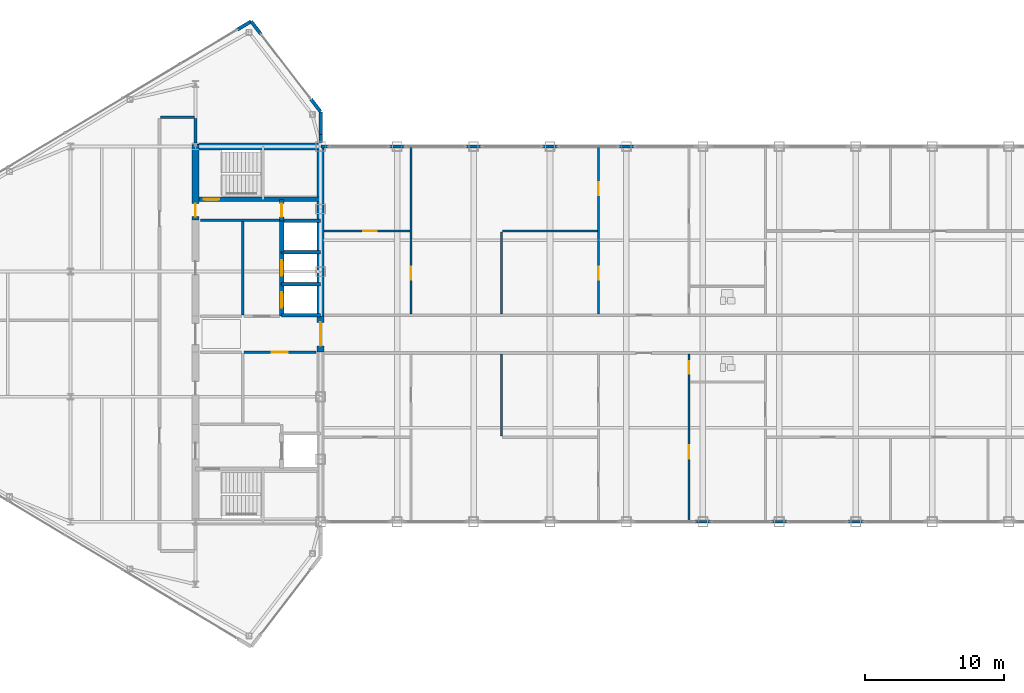
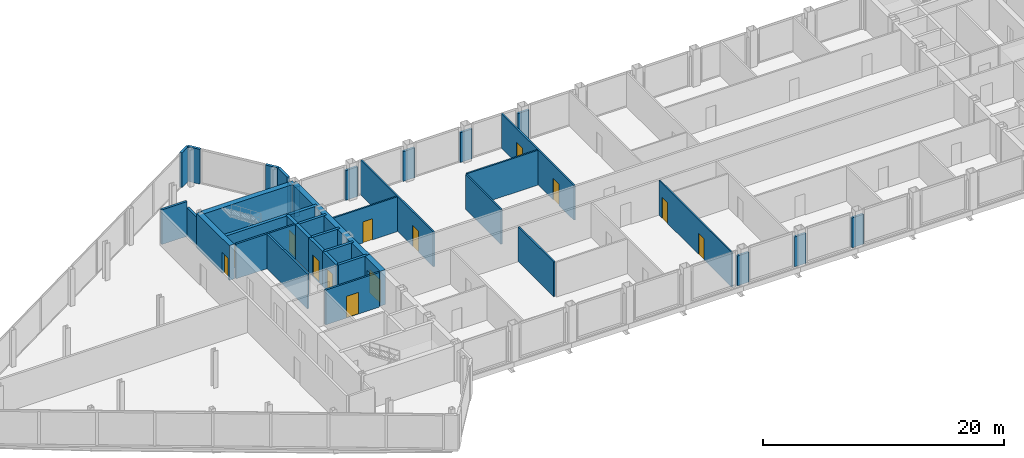
# One storey, part 22 of 28: 38 walls, 13 doors, 13 openings.
"""IFC4 building model written with IfcOpenShell, lengths in metres."""

from ifc_helpers import new_model, si_unit, direction, frame, frame_2d, origin, place, context, subcontext, project, spatial, rectangle, extrude, source, transform, mapped, material, layer, layer_set, type_object, type_shapes, element, fill, save


model = new_model("IFC4")

# Units and contexts
model_context = context("Model", 3, precision=1e-05, world=origin(), true_north=direction((0.0, 1.0)))
body_context = subcontext(model_context, "Body", "Model", "MODEL_VIEW")
ifc_project = project(units=[si_unit("LENGTHUNIT", "METRE"), si_unit("AREAUNIT", "SQUARE_METRE"), si_unit("VOLUMEUNIT", "CUBIC_METRE"), si_unit("PLANEANGLEUNIT", "RADIAN"), si_unit("MASSUNIT", "GRAM", prefix="KILO")], contexts=[model_context])

# Site, building, storey
site_placement = place(None, origin())
site = spatial("IfcSite", under=ifc_project, at=site_placement, CompositionType="ELEMENT")
building_placement = place(site_placement, origin())
building = spatial("IfcBuilding", under=site, at=building_placement, Name="Seokmaru Belvedere", CompositionType="ELEMENT")
storey_placement = place(building_placement, frame((0.0, 0.0, 261.89990234375)))
storey = spatial("IfcBuildingStorey", under=building, at=storey_placement, Name="L69", CompositionType="ELEMENT", Elevation=261.89990234375)

# Wall, opening, door
ifc_material_1 = material(Name="Fire-Rated Gypsum Shaftwall")
ifc_layer_1 = layer(ifc_material_1, 0.14990234375)
ifc_layer_set_1 = layer_set([ifc_layer_1], Name="Fire-Rated Gypsum Shaftwall")
wall_type_1 = type_object("IfcWallType", Name="Apartment Fire-Acoustic Room Partition 150", PredefinedType="PARTITIONING", material=ifc_layer_set_1)
wall_1_placement = place(storey_placement, frame((-27.2451171875, 7.419921875, 0.0), z_axis=(0.0, 0.0, 1.0), x_axis=(1.0, 0.0, 0.0)))
wall_1 = element("IfcWall", 1, at=wall_1_placement, inside=storey, type_object=wall_type_1, Name="L69 Interior Partition 017", PredefinedType="PARTITIONING", context=body_context, shape_type="SweptSolid", body=[
    extrude(rectangle(XDim=6.16015625, YDim=0.14990234375, at=frame_2d((3.080078125, 0.0))), origin(), (0.0, 0.0, 1.0), 3.530029296875),
])
opening_1_placement = place(wall_1_placement, frame((2.820068359375, 0.0, 0.0)))
opening_1 = element("IfcOpeningElement", 2, at=opening_1_placement, cuts=wall_1, Name="Opening D05", PredefinedType="OPENING", context=body_context, shape_type="SweptSolid", body=[
    extrude(rectangle(XDim=0.949951171875, YDim=2.14990234375, at=frame_2d((0.47509765625, 1.074951171875))), frame((0.0, 0.0849609375, 0.0), z_axis=(0.0, -1.0, 0.0), x_axis=(1.0, 0.0, 0.0)), (0.0, 0.0, 1.0), 0.169921875),
])
ifc_material_2 = material(Name="Engineered White Oak Timber", Category="wood")
door_type_1 = type_object("IfcDoorType", Name="Apartment Interior Fire-Rated Oak Door 950x2150", OperationType="NOTDEFINED", PredefinedType="DOOR", material=ifc_material_2)
shared_shape_1 = source(origin(), body_context, "Body", "SweptSolid", [
    extrude(rectangle(XDim=0.949951171875, YDim=2.14990234375, at=frame_2d((0.47509765625, 1.074951171875))), frame((0.0, 0.02490234375, 0.0), z_axis=(0.0, -1.0, 0.0), x_axis=(1.0, 0.0, 0.0)), (0.0, 0.0, 1.0), 0.050048828125),
])
type_shapes(door_type_1, [shared_shape_1])
door_1_placement = place(opening_1_placement, origin())
door_1 = element("IfcDoor", 3, at=door_1_placement, inside=storey, type_object=door_type_1, Name="L69 Interior Door 031", OperationType="SINGLE_SWING_RIGHT", OverallHeight=2.14990234375, OverallWidth=0.949951171875, PredefinedType="DOOR", context=body_context, shape_type="MappedRepresentation", body=[
    mapped(shared_shape_1, transform((0.0, 0.0, 0.0), scale=1.0)),
])
fill(opening_1, door_1)

# Wall
wall_2_placement = place(storey_placement, frame((-14.4150390625, 7.419921875, 0.0), z_axis=(0.0, 0.0, 1.0), x_axis=(1.0, 0.0, 0.0)))
element("IfcWall", 4, at=wall_2_placement, inside=storey, type_object=wall_type_1, Name="L69 Interior Partition 018", PredefinedType="PARTITIONING", context=body_context, shape_type="SweptSolid", body=[
    extrude(rectangle(XDim=6.830078125, YDim=0.14990234375, at=frame_2d((3.4150390625, 0.0))), origin(), (0.0, 0.0, 1.0), 3.530029296875),
])

# Wall, opening, door
wall_3_placement = place(storey_placement, frame((-21.0, 1.43505859375, 0.0), z_axis=(0.0, 0.0, 1.0), x_axis=(0.0, 1.0, 0.0)))
wall_3 = element("IfcWall", 5, at=wall_3_placement, inside=storey, type_object=wall_type_1, Name="L69 Interior Partition 026", PredefinedType="PARTITIONING", context=body_context, shape_type="SweptSolid", body=[
    extrude(rectangle(XDim=12.06494140625, YDim=0.14990234375, at=frame_2d((6.032470703125, 0.0))), origin(), (0.0, 0.0, 1.0), 3.530029296875),
])
opening_2_placement = place(wall_3_placement, frame((2.4775390625, 0.0, 0.0)))
opening_2 = element("IfcOpeningElement", 6, at=opening_2_placement, cuts=wall_3, Name="Opening D05", PredefinedType="OPENING", context=body_context, shape_type="SweptSolid", body=[
    extrude(rectangle(XDim=0.949951171875, YDim=2.14990234375, at=frame_2d((0.47509765625, 1.074951171875))), frame((0.0, 0.0849609375, 0.0), z_axis=(0.0, -1.0, 0.0), x_axis=(1.0, 0.0, 0.0)), (0.0, 0.0, 1.0), 0.169921875),
])
door_2_placement = place(opening_2_placement, origin())
door_2 = element("IfcDoor", 7, at=door_2_placement, inside=storey, type_object=door_type_1, Name="L69 Interior Door 030", OperationType="SINGLE_SWING_LEFT", OverallHeight=2.14990234375, OverallWidth=0.949951171875, PredefinedType="DOOR", context=body_context, shape_type="MappedRepresentation", body=[
    mapped(shared_shape_1, transform((0.0, 0.0, 0.0), scale=1.0)),
])
fill(opening_2, door_2)

# Walls
for number, where, z_axis, x_axis, name in (
    (8, (-14.5, -7.340087890625, 0.0), (0.0, 0.0, 1.0), (0.0, 1.0, 0.0), "L69 Interior Partition 027"),
    (9, (-14.5, 1.43505859375, 0.0), (0.0, 0.0, 1.0), (0.0, 1.0, 0.0), "L69 Interior Partition 028"),
):
    element("IfcWall", number, at=place(storey_placement, frame(where, z_axis=z_axis, x_axis=x_axis)), inside=storey, type_object=wall_type_1, Name=name, PredefinedType="PARTITIONING", context=body_context, shape_type="SweptSolid", body=[
        extrude(rectangle(XDim=5.905029296875, YDim=0.14990234375, at=frame_2d((2.95263671875, 0.0))), origin(), (0.0, 0.0, 1.0), 3.530029296875),
    ])

# Wall, openings, doors
wall_4_placement = place(storey_placement, frame((-7.5, 1.43505859375, 0.0), z_axis=(0.0, 0.0, 1.0), x_axis=(0.0, 1.0, 0.0)))
wall_4 = element("IfcWall", 10, at=wall_4_placement, inside=storey, type_object=wall_type_1, Name="L69 Interior Partition 030", PredefinedType="PARTITIONING", context=body_context, shape_type="SweptSolid", body=[
    extrude(rectangle(XDim=12.06494140625, YDim=0.14990234375, at=frame_2d((6.032470703125, 0.0))), origin(), (0.0, 0.0, 1.0), 3.530029296875),
])
opening_3_placement = place(wall_4_placement, frame((2.4775390625, 0.0, 0.0)))
opening_3 = element("IfcOpeningElement", 11, at=opening_3_placement, cuts=wall_4, Name="Opening D05", PredefinedType="OPENING", context=body_context, shape_type="SweptSolid", body=[
    extrude(rectangle(XDim=0.949951171875, YDim=2.14990234375, at=frame_2d((0.47509765625, 1.074951171875))), frame((0.0, 0.0849609375, 0.0), z_axis=(0.0, -1.0, 0.0), x_axis=(1.0, 0.0, 0.0)), (0.0, 0.0, 1.0), 0.169921875),
])
opening_4_placement = place(wall_4_placement, frame((8.552490234375, 0.0, 0.0)))
opening_4 = element("IfcOpeningElement", 12, at=opening_4_placement, cuts=wall_4, Name="Opening D05", PredefinedType="OPENING", context=body_context, shape_type="SweptSolid", body=[
    extrude(rectangle(XDim=0.949951171875, YDim=2.14990234375, at=frame_2d((0.47509765625, 1.074951171875))), frame((0.0, 0.0849609375, 0.0), z_axis=(0.0, -1.0, 0.0), x_axis=(1.0, 0.0, 0.0)), (0.0, 0.0, 1.0), 0.169921875),
])
door_3_placement = place(opening_3_placement, origin())
door_3 = element("IfcDoor", 13, at=door_3_placement, inside=storey, type_object=door_type_1, Name="L69 Interior Door 028", OperationType="SINGLE_SWING_LEFT", OverallHeight=2.14990234375, OverallWidth=0.949951171875, PredefinedType="DOOR", context=body_context, shape_type="MappedRepresentation", body=[
    mapped(shared_shape_1, transform((0.0, 0.0, 0.0), scale=1.0)),
])
fill(opening_3, door_3)
door_4_placement = place(opening_4_placement, origin())
door_4 = element("IfcDoor", 14, at=door_4_placement, inside=storey, type_object=door_type_1, Name="L69 Interior Door 029", OperationType="SINGLE_SWING_RIGHT", OverallHeight=2.14990234375, OverallWidth=0.949951171875, PredefinedType="DOOR", context=body_context, shape_type="MappedRepresentation", body=[
    mapped(shared_shape_1, transform((0.0, 0.0, 0.0), scale=1.0)),
])
fill(opening_4, door_4)

# Walls
ifc_material_3 = material(Name="Anodised Bronze Aluminium", Category="aluminium")
ifc_layer_2 = layer(ifc_material_3, 0.2099609375)
ifc_layer_set_2 = layer_set([ifc_layer_2], Name="Anodised Bronze Aluminium")
wall_type_2 = type_object("IfcWallType", Name="Bridge Column Spandrel Closure Pier 210", PredefinedType="SOLIDWALL", material=ifc_layer_set_2)
wall_5_placement = place(storey_placement, frame((-27.489990234375, 13.5, 0.0), z_axis=(0.0, 0.0, 1.0), x_axis=(1.0, 0.0, 0.0)))
element("IfcWall", 15, at=wall_5_placement, inside=storey, type_object=wall_type_2, Name="L69 Bridge North Column Closure Pier 01", PredefinedType="SOLIDWALL", context=body_context, shape_type="SweptSolid", body=[
    extrude(rectangle(XDim=0.5400390625, YDim=0.2099609375, at=frame_2d((0.27001953125, 0.0))), origin(), (0.0, 0.0, 1.0), 3.030029296875),
])
for number, where, z_axis, x_axis, name in (
    (16, (-22.550048828125, 13.5, 0.0), (0.0, 0.0, 1.0), (1.0, 0.0, 0.0), "L69 Bridge North Column Closure Pier 02"),
    (17, (-17.050048828125, 13.5, 0.0), (0.0, 0.0, 1.0), (1.0, 0.0, 0.0), "L69 Bridge North Column Closure Pier 03"),
    (18, (-11.550048828125, 13.5, 0.0), (0.0, 0.0, 1.0), (1.0, 0.0, 0.0), "L69 Bridge North Column Closure Pier 04"),
    (19, (-6.050048828125, 13.5, 0.0), (0.0, 0.0, 1.0), (1.0, 0.0, 0.0), "L69 Bridge North Column Closure Pier 05"),
    (20, (-0.550048828125, -13.5, 0.0), (0.0, 0.0, 1.0), (1.0, 0.0, 0.0), "L69 Bridge South Column Closure Pier 06"),
    (21, (4.949951171875, -13.5, 0.0), (0.0, 0.0, 1.0), (1.0, 0.0, 0.0), "L69 Bridge South Column Closure Pier 07"),
    (22, (10.449951171875, -13.5, 0.0), (0.0, 0.0, 1.0), (1.0, 0.0, 0.0), "L69 Bridge South Column Closure Pier 08"),
):
    element("IfcWall", number, at=place(storey_placement, frame(where, z_axis=z_axis, x_axis=x_axis)), inside=storey, type_object=wall_type_2, Name=name, PredefinedType="SOLIDWALL", context=body_context, shape_type="SweptSolid", body=[
        extrude(rectangle(XDim=1.10009765625, YDim=0.2099609375, at=frame_2d((0.550048828125, 0.0))), origin(), (0.0, 0.0, 1.0), 3.030029296875),
    ])
ifc_layer_3 = layer(ifc_material_1, 0.179931640625)
ifc_layer_set_3 = layer_set([ifc_layer_3], Name="Fire-Rated Gypsum Shaftwall")
wall_type_3 = type_object("IfcWallType", Name="Core Service Fire Partition 180", PredefinedType="PARTITIONING", material=ifc_layer_set_3)
wall_6_placement = place(storey_placement, frame((-36.14990234375, 8.199951171875, 0.0), z_axis=(0.0, 0.0, 1.0), x_axis=(1.0, 0.0, 0.0)))
element("IfcWall", 23, at=wall_6_placement, inside=storey, type_object=wall_type_3, Name="L69 West Smokeproof Vestibule Partition", PredefinedType="PARTITIONING", context=body_context, shape_type="SweptSolid", body=[
    extrude(rectangle(XDim=5.699951171875, YDim=0.179931640625, at=frame_2d((2.85009765625, 0.0))), origin(), (0.0, 0.0, 1.0), 3.530029296875),
])
wall_7_placement = place(storey_placement, frame((-33.10009765625, 1.3798828125, 0.0), z_axis=(0.0, 0.0, 1.0), x_axis=(0.0, 1.0, 0.0)))
element("IfcWall", 24, at=wall_7_placement, inside=storey, type_object=wall_type_3, Name="L69 West North Core Service Back Wall", PredefinedType="PARTITIONING", context=body_context, shape_type="SweptSolid", body=[
    extrude(rectangle(XDim=6.740234375, YDim=0.179931640625, at=frame_2d((3.3701171875, 0.0))), origin(), (0.0, 0.0, 1.0), 3.530029296875),
])

# Wall, opening, door
wall_8_placement = place(storey_placement, frame((-33.02001953125, -1.300048828125, 0.0), z_axis=(0.0, 0.0, 1.0), x_axis=(1.0, 0.0, 0.0)))
wall_8 = element("IfcWall", 25, at=wall_8_placement, inside=storey, type_object=wall_type_3, Name="L69 West South Lift Lobby Foyer Wall", PredefinedType="PARTITIONING", context=body_context, shape_type="SweptSolid", body=[
    extrude(rectangle(XDim=5.169921875, YDim=0.179931640625, at=frame_2d((2.5849609375, 0.0))), origin(), (0.0, 0.0, 1.0), 3.530029296875),
])
opening_5_placement = place(wall_8_placement, frame((2.010009765625, 0.0, 0.0)))
opening_5 = element("IfcOpeningElement", 26, at=opening_5_placement, cuts=wall_8, Name="Opening D02", PredefinedType="OPENING", context=body_context, shape_type="SweptSolid", body=[
    extrude(rectangle(XDim=1.14990234375, YDim=2.199951171875, at=frame_2d((0.574951171875, 1.10009765625))), frame((0.0, 0.10009765625, 0.0), z_axis=(0.0, -1.0, 0.0), x_axis=(1.0, 0.0, 0.0)), (0.0, 0.0, 1.0), 0.199951171875),
])
ifc_material_4 = material(Name="Fire-Rated Steel Leaf", Category="steel")
door_type_2 = type_object("IfcDoorType", Name="Lobby and Vestibule Fire Door 1150x2200", OperationType="NOTDEFINED", PredefinedType="DOOR", material=ifc_material_4)
shared_shape_2 = source(origin(), body_context, "Body", "SweptSolid", [
    extrude(rectangle(XDim=1.14990234375, YDim=2.199951171875, at=frame_2d((0.574951171875, 1.10009765625))), frame((0.0, 0.02490234375, 0.0), z_axis=(0.0, -1.0, 0.0), x_axis=(1.0, 0.0, 0.0)), (0.0, 0.0, 1.0), 0.050048828125),
])
type_shapes(door_type_2, [shared_shape_2])
door_5_placement = place(opening_5_placement, origin())
door_5 = element("IfcDoor", 27, at=door_5_placement, inside=storey, type_object=door_type_2, Name="L69 West South Core Foyer Door", OperationType="SINGLE_SWING_LEFT", OverallHeight=2.199951171875, OverallWidth=1.14990234375, PredefinedType="DOOR", context=body_context, shape_type="MappedRepresentation", body=[
    mapped(shared_shape_2, transform((0.0, 0.0, 0.0), scale=1.0)),
])
fill(opening_5, door_5)

# Walls
ifc_material_5 = material(Name="Concrete C50 (50 MPa)", Category="concrete")
ifc_layer_4 = layer(ifc_material_5, 0.25)
ifc_layer_set_4 = layer_set([ifc_layer_4], Name="Concrete C50 (50 MPa)")
wall_type_4 = type_object("IfcWallType", Name="Hoistway Transverse Concrete Divider Wall 250", PredefinedType="SHEAR", material=ifc_layer_set_4)
for number, where, z_axis, x_axis, name in (
    (28, (-30.300048828125, 1.35009765625, 0.0), (0.0, 0.0, 1.0), (1.0, 0.0, 0.0), "L69 West Hoistway Divider Core Wall 2"),
    (29, (-30.300048828125, 3.60009765625, 0.0), (0.0, 0.0, 1.0), (1.0, 0.0, 0.0), "L69 West Hoistway Divider Core Wall 3"),
    (30, (-30.300048828125, 5.89990234375, 0.0), (0.0, 0.0, 1.0), (1.0, 0.0, 0.0), "L69 West Hoistway Divider Core Wall 4"),
    (31, (-30.300048828125, 8.14990234375, 0.0), (0.0, 0.0, 1.0), (1.0, 0.0, 0.0), "L69 West Hoistway Divider Core Wall 5"),
):
    element("IfcWall", number, at=place(storey_placement, frame(where, z_axis=z_axis, x_axis=x_axis)), inside=storey, type_object=wall_type_4, Name=name, PredefinedType="SHEAR", context=body_context, shape_type="SweptSolid", body=[
        extrude(rectangle(XDim=2.800048828125, YDim=0.25, at=frame_2d((1.39990234375, 0.0))), origin(), (0.0, 0.0, 1.0), 3.530029296875),
    ])
ifc_layer_5 = layer(ifc_material_1, 0.199951171875)
ifc_layer_set_5 = layer_set([ifc_layer_5], Name="Fire-Rated Gypsum Shaftwall")
wall_type_5 = type_object("IfcWallType", Name="Inter-Tenancy Fire Compartment Partition 200", PredefinedType="PARTITIONING", material=ifc_layer_set_5)
wall_9_placement = place(storey_placement, frame((-39.014892578125, 15.60009765625, 0.0), z_axis=(0.0, 0.0, 1.0), x_axis=(1.0, 0.0, 0.0)))
element("IfcWall", 32, at=wall_9_placement, inside=storey, type_object=wall_type_5, Name="L69 Interior Partition 020", PredefinedType="PARTITIONING", context=body_context, shape_type="SweptSolid", body=[
    extrude(rectangle(XDim=2.429931640625, YDim=0.199951171875, at=frame_2d((1.21484375, 0.0))), origin(), (0.0, 0.0, 1.0), 3.530029296875),
])
wall_10_placement = place(storey_placement, frame((-36.5, 13.7548828125, 0.0), z_axis=(0.0, 0.0, 1.0), x_axis=(0.0, 1.0, 0.0)))
element("IfcWall", 33, at=wall_10_placement, inside=storey, type_object=wall_type_5, Name="L69 Interior Partition 024", PredefinedType="PARTITIONING", context=body_context, shape_type="SweptSolid", body=[
    extrude(rectangle(XDim=1.760009765625, YDim=0.199951171875, at=frame_2d((0.8798828125, 0.0))), origin(), (0.0, 0.0, 1.0), 2.93017578125),
])

# Wall, opening, door
ifc_layer_6 = layer(ifc_material_5, 0.300048828125)
ifc_layer_set_6 = layer_set([ifc_layer_6], Name="Concrete C50 (50 MPa)")
wall_type_6 = type_object("IfcWallType", Name="Internal Core Stair and Hoistway Wall 300", PredefinedType="SHEAR", material=ifc_layer_set_6)
wall_11_placement = place(storey_placement, frame((-36.5, 9.699951171875, 0.0), z_axis=(0.0, 0.0, 1.0), x_axis=(1.0, 0.0, 0.0)))
wall_11 = element("IfcWall", 34, at=wall_11_placement, inside=storey, type_object=wall_type_6, Name="L69 West Stair ST-2 Enclosure Wall", PredefinedType="SHEAR", context=body_context, shape_type="SweptSolid", body=[
    extrude(rectangle(XDim=9.0, YDim=0.300048828125, at=frame_2d((4.5, 0.0))), origin(), (0.0, 0.0, 1.0), 3.530029296875),
])
opening_6_placement = place(wall_11_placement, frame((0.60009765625, 0.0, 0.0)))
opening_6 = element("IfcOpeningElement", 35, at=opening_6_placement, cuts=wall_11, Name="Opening D01", PredefinedType="OPENING", context=body_context, shape_type="SweptSolid", body=[
    extrude(rectangle(XDim=1.10009765625, YDim=2.199951171875, at=frame_2d((0.550048828125, 1.10009765625))), frame((0.0, 0.16015625, 0.0), z_axis=(0.0, -1.0, 0.0), x_axis=(1.0, 0.0, 0.0)), (0.0, 0.0, 1.0), 0.320068359375),
])
door_type_3 = type_object("IfcDoorType", Name="Special Escape Stair Smokeproof Fire Door 1100x2200", OperationType="NOTDEFINED", PredefinedType="DOOR", material=ifc_material_4)
shared_shape_3 = source(origin(), body_context, "Body", "SweptSolid", [
    extrude(rectangle(XDim=1.10009765625, YDim=2.199951171875, at=frame_2d((0.550048828125, 1.10009765625))), frame((0.0, 0.02490234375, 0.0), z_axis=(0.0, -1.0, 0.0), x_axis=(1.0, 0.0, 0.0)), (0.0, 0.0, 1.0), 0.050048828125),
])
type_shapes(door_type_3, [shared_shape_3])
door_6_placement = place(opening_6_placement, origin())
door_6 = element("IfcDoor", 36, at=door_6_placement, inside=storey, type_object=door_type_3, Name="L69 West Special Escape Stair ST-2 Door", OperationType="SINGLE_SWING_RIGHT", OverallHeight=2.199951171875, OverallWidth=1.10009765625, PredefinedType="DOOR", context=body_context, shape_type="MappedRepresentation", body=[
    mapped(shared_shape_3, transform((0.0, 0.0, 0.0), scale=1.0)),
])
fill(opening_6, door_6)

wall_12_placement = place(storey_placement, frame((-30.300048828125, 1.320068359375, 0.0), z_axis=(0.0, 0.0, 1.0), x_axis=(0.0, 1.0, 0.0)))
wall_12 = element("IfcWall", 37, at=wall_12_placement, inside=storey, type_object=wall_type_6, Name="L69 West North Hoistway Wall PH1", PredefinedType="SHEAR", context=body_context, shape_type="SweptSolid", body=[
    extrude(rectangle(XDim=2.280029296875, YDim=0.300048828125, at=frame_2d((1.14013671875, 0.0))), origin(), (0.0, 0.0, 1.0), 3.530029296875),
])
opening_7_placement = place(wall_12_placement, frame((0.590087890625, 0.0, 0.0)))
opening_7 = element("IfcOpeningElement", 38, at=opening_7_placement, cuts=wall_12, Name="Opening LD1", PredefinedType="OPENING", context=body_context, shape_type="SweptSolid", body=[
    extrude(rectangle(XDim=1.10009765625, YDim=2.199951171875, at=frame_2d((0.550048828125, 1.10009765625))), frame((0.0, 0.16015625, 0.0), z_axis=(0.0, -1.0, 0.0), x_axis=(1.0, 0.0, 0.0)), (0.0, 0.0, 1.0), 0.320068359375),
])
ifc_material_6 = material(Name="Stainless Steel 316", Category="steel")
door_type_4 = type_object("IfcDoorType", Name="Passenger Lift Sliding Landing Door 1100x2200", OperationType="DOUBLE_DOOR_SLIDING", PredefinedType="DOOR", material=ifc_material_6)
shared_shape_4 = source(origin(), body_context, "Body", "SweptSolid", [
    extrude(rectangle(XDim=1.10009765625, YDim=2.199951171875, at=frame_2d((0.550048828125, 1.10009765625))), frame((0.0, 0.02490234375, 0.0), z_axis=(0.0, -1.0, 0.0), x_axis=(1.0, 0.0, 0.0)), (0.0, 0.0, 1.0), 0.050048828125),
])
type_shapes(door_type_4, [shared_shape_4])
door_7_placement = place(opening_7_placement, origin())
door_7 = element("IfcDoor", 39, at=door_7_placement, inside=storey, type_object=door_type_4, Name="L69 West High-Rise Lift PH-1 Landing Door", OperationType="DOUBLE_DOOR_SLIDING", OverallHeight=2.199951171875, OverallWidth=1.10009765625, PredefinedType="DOOR", context=body_context, shape_type="MappedRepresentation", body=[
    mapped(shared_shape_4, transform((0.0, 0.0, 0.0), scale=1.0)),
])
fill(opening_7, door_7)

wall_13_placement = place(storey_placement, frame((-30.300048828125, 3.60009765625, 0.0), z_axis=(0.0, 0.0, 1.0), x_axis=(0.0, 1.0, 0.0)))
wall_13 = element("IfcWall", 40, at=wall_13_placement, inside=storey, type_object=wall_type_6, Name="L69 West North Hoistway Wall PH2", PredefinedType="SHEAR", context=body_context, shape_type="SweptSolid", body=[
    extrude(rectangle(XDim=2.2998046875, YDim=0.300048828125, at=frame_2d((1.14990234375, 0.0))), origin(), (0.0, 0.0, 1.0), 3.530029296875),
])
opening_8_placement = place(wall_13_placement, frame((0.60009765625, 0.0, 0.0)))
opening_8 = element("IfcOpeningElement", 41, at=opening_8_placement, cuts=wall_13, Name="Opening LD1", PredefinedType="OPENING", context=body_context, shape_type="SweptSolid", body=[
    extrude(rectangle(XDim=1.10009765625, YDim=2.199951171875, at=frame_2d((0.550048828125, 1.10009765625))), frame((0.0, 0.16015625, 0.0), z_axis=(0.0, -1.0, 0.0), x_axis=(1.0, 0.0, 0.0)), (0.0, 0.0, 1.0), 0.320068359375),
])
door_8_placement = place(opening_8_placement, origin())
door_8 = element("IfcDoor", 42, at=door_8_placement, inside=storey, type_object=door_type_4, Name="L69 West High-Rise Lift PH-2 Landing Door", OperationType="DOUBLE_DOOR_SLIDING", OverallHeight=2.199951171875, OverallWidth=1.10009765625, PredefinedType="DOOR", context=body_context, shape_type="MappedRepresentation", body=[
    mapped(shared_shape_4, transform((0.0, 0.0, 0.0), scale=1.0)),
])
fill(opening_8, door_8)

# Wall
wall_14_placement = place(storey_placement, frame((-30.300048828125, 5.89990234375, 0.0), z_axis=(0.0, 0.0, 1.0), x_axis=(0.0, 1.0, 0.0)))
element("IfcWall", 43, at=wall_14_placement, inside=storey, type_object=wall_type_6, Name="L69 West North Hoistway Wall OBS", PredefinedType="SHEAR", context=body_context, shape_type="SweptSolid", body=[
    extrude(rectangle(XDim=2.25, YDim=0.300048828125, at=frame_2d((1.125, 0.0))), origin(), (0.0, 0.0, 1.0), 3.530029296875),
])

# Wall, opening, door
wall_15_placement = place(storey_placement, frame((-30.300048828125, 8.14990234375, 0.0), z_axis=(0.0, 0.0, 1.0), x_axis=(0.0, 1.0, 0.0)))
wall_15 = element("IfcWall", 44, at=wall_15_placement, inside=storey, type_object=wall_type_6, Name="L69 West Electrical Riser Front Wall", PredefinedType="SHEAR", context=body_context, shape_type="SweptSolid", body=[
    extrude(rectangle(XDim=1.530029296875, YDim=0.300048828125, at=frame_2d((0.76513671875, 0.0))), origin(), (0.0, 0.0, 1.0), 3.530029296875),
])
opening_9_placement = place(wall_15_placement, frame((0.284912109375, 0.0, 0.0)))
opening_9 = element("IfcOpeningElement", 45, at=opening_9_placement, cuts=wall_15, Name="Opening D04", PredefinedType="OPENING", context=body_context, shape_type="SweptSolid", body=[
    extrude(rectangle(XDim=0.949951171875, YDim=2.14990234375, at=frame_2d((0.47509765625, 1.074951171875))), frame((0.0, 0.16015625, 0.0), z_axis=(0.0, -1.0, 0.0), x_axis=(1.0, 0.0, 0.0)), (0.0, 0.0, 1.0), 0.320068359375),
])
door_type_5 = type_object("IfcDoorType", Name="Core Service Room Fire Door 950x2150", OperationType="NOTDEFINED", PredefinedType="DOOR", material=ifc_material_4)
shared_shape_5 = source(origin(), body_context, "Body", "SweptSolid", [
    extrude(rectangle(XDim=0.949951171875, YDim=2.14990234375, at=frame_2d((0.47509765625, 1.074951171875))), frame((0.0, 0.02490234375, 0.0), z_axis=(0.0, -1.0, 0.0), x_axis=(1.0, 0.0, 0.0)), (0.0, 0.0, 1.0), 0.050048828125),
])
type_shapes(door_type_5, [shared_shape_5])
door_9_placement = place(opening_9_placement, origin())
door_9 = element("IfcDoor", 46, at=door_9_placement, inside=storey, type_object=door_type_5, Name="L69 West Electrical Riser Access Door", OperationType="SINGLE_SWING_LEFT", OverallHeight=2.14990234375, OverallWidth=0.949951171875, PredefinedType="DOOR", context=body_context, shape_type="MappedRepresentation", body=[
    mapped(shared_shape_5, transform((0.0, 0.0, 0.0), scale=1.0)),
])
fill(opening_9, door_9)

# Wall, openings, doors
ifc_layer_7 = layer(ifc_material_1, 0.1298828125)
ifc_layer_set_7 = layer_set([ifc_layer_7], Name="Fire-Rated Gypsum Shaftwall")
wall_type_7 = type_object("IfcWallType", Name="Moisture-Resistant Fire-Rated Bathroom Partition 130", PredefinedType="PARTITIONING", material=ifc_layer_set_7)
wall_16_placement = place(storey_placement, frame((-1.0, -13.5, 0.0), z_axis=(0.0, 0.0, 1.0), x_axis=(0.0, 1.0, 0.0)))
wall_16 = element("IfcWall", 47, at=wall_16_placement, inside=storey, type_object=wall_type_7, Name="L69 Interior Partition 031", PredefinedType="PARTITIONING", context=body_context, shape_type="SweptSolid", body=[
    extrude(rectangle(XDim=12.06494140625, YDim=0.1298828125, at=frame_2d((6.032470703125, 0.0))), origin(), (0.0, 0.0, 1.0), 3.530029296875),
])
opening_10_placement = place(wall_16_placement, frame((10.659912109375, 0.0, 0.0)))
opening_10 = element("IfcOpeningElement", 48, at=opening_10_placement, cuts=wall_16, Name="Opening D06", PredefinedType="OPENING", context=body_context, shape_type="SweptSolid", body=[
    extrude(rectangle(XDim=0.8798828125, YDim=2.10009765625, at=frame_2d((0.43994140625, 1.050048828125))), frame((0.0, 0.074951171875, 0.0), z_axis=(0.0, -1.0, 0.0), x_axis=(1.0, 0.0, 0.0)), (0.0, 0.0, 1.0), 0.14990234375),
])
opening_11_placement = place(wall_16_placement, frame((4.550048828125, 0.0, 0.0)))
opening_11 = element("IfcOpeningElement", 49, at=opening_11_placement, cuts=wall_16, Name="Opening D05", PredefinedType="OPENING", context=body_context, shape_type="SweptSolid", body=[
    extrude(rectangle(XDim=0.949951171875, YDim=2.14990234375, at=frame_2d((0.47509765625, 1.074951171875))), frame((0.0, 0.074951171875, 0.0), z_axis=(0.0, -1.0, 0.0), x_axis=(1.0, 0.0, 0.0)), (0.0, 0.0, 1.0), 0.14990234375),
])
door_type_6 = type_object("IfcDoorType", Name="Bathroom and Restroom Fire-Rated Door 880x2100", OperationType="NOTDEFINED", PredefinedType="DOOR", material=ifc_material_2)
shared_shape_6 = source(origin(), body_context, "Body", "SweptSolid", [
    extrude(rectangle(XDim=0.8798828125, YDim=2.10009765625, at=frame_2d((0.43994140625, 1.050048828125))), frame((0.0, 0.02490234375, 0.0), z_axis=(0.0, -1.0, 0.0), x_axis=(1.0, 0.0, 0.0)), (0.0, 0.0, 1.0), 0.050048828125),
])
type_shapes(door_type_6, [shared_shape_6])
door_10_placement = place(opening_10_placement, origin())
door_10 = element("IfcDoor", 50, at=door_10_placement, inside=storey, type_object=door_type_6, Name="L69 Interior Door 015", OperationType="SINGLE_SWING_LEFT", OverallHeight=2.10009765625, OverallWidth=0.8798828125, PredefinedType="DOOR", context=body_context, shape_type="MappedRepresentation", body=[
    mapped(shared_shape_6, transform((0.0, 0.0, 0.0), scale=1.0)),
])
fill(opening_10, door_10)
door_11_placement = place(opening_11_placement, origin())
door_11 = element("IfcDoor", 51, at=door_11_placement, inside=storey, type_object=door_type_1, Name="L69 Interior Door 016", OperationType="SINGLE_SWING_RIGHT", OverallHeight=2.14990234375, OverallWidth=0.949951171875, PredefinedType="DOOR", context=body_context, shape_type="MappedRepresentation", body=[
    mapped(shared_shape_1, transform((0.0, 0.0, 0.0), scale=1.0)),
])
fill(opening_11, door_11)

# Walls
ifc_layer_8 = layer(ifc_material_3, 0.239990234375)
ifc_layer_set_8 = layer_set([ifc_layer_8], Name="Anodised Bronze Aluminium")
wall_type_8 = type_object("IfcWallType", Name="Tower Corner Spandrel Closure Wall 240", PredefinedType="SOLIDWALL", material=ifc_layer_set_8)
wall_17_placement = place(storey_placement, frame((-27.5, 13.7548828125, 0.0), z_axis=(0.0, 0.0, 1.0), x_axis=(0.0, 1.0, 0.0)))
element("IfcWall", 52, at=wall_17_placement, inside=storey, type_object=wall_type_8, Name="L69 W Shoulder Closure Wall 2", PredefinedType="SOLIDWALL", context=body_context, shape_type="SweptSolid", body=[
    extrude(rectangle(XDim=0.619873046875, YDim=0.239990234375, at=frame_2d((0.31005859375, 0.0))), origin(), (0.0, 0.0, 1.0), 3.030029296875),
])
wall_18_placement = place(storey_placement, frame((-27.5, 14.374755859375, 0.0), z_axis=(0.0, 0.0, 1.0), x_axis=(0.0, 1.0, 0.0)))
element("IfcWall", 53, at=wall_18_placement, inside=storey, type_object=wall_type_8, Name="L69 W Shoulder Closure Wall 2 Part 2", PredefinedType="SOLIDWALL", context=body_context, shape_type="SweptSolid", body=[
    extrude(rectangle(XDim=1.605224609375, YDim=0.239990234375, at=frame_2d((0.802734375, 0.0))), origin(), (0.0, 0.0, 1.0), 3.530029296875),
])
for number, where, z_axis, x_axis, name in (
    (54, (-27.506103515625, 16.0078125, 0.0), (0.0, 0.0, 1.0), (-0.609617623633, 0.792695624408, 0.0), "L69 W Corner Closure Pier 2A"),
    (55, (-31.798828125, 21.58837890625, 0.0), (0.0, 0.0, 1.0), (-0.609617623633, 0.792695624408, 0.0), "L69 W Corner Closure Pier 2B"),
    (56, (-32.508544921875, 22.494873046875, 0.0), (0.0, 0.0, 1.0), (-0.85743623509, -0.514590228002, 0.0), "L69 W Corner Closure Pier 3A"),
):
    element("IfcWall", number, at=place(storey_placement, frame(where, z_axis=z_axis, x_axis=x_axis)), inside=storey, type_object=wall_type_8, Name=name, PredefinedType="SOLIDWALL", context=body_context, shape_type="SweptSolid", body=[
        extrude(rectangle(XDim=1.14013671875, YDim=0.239990234375, at=frame_2d((0.570068359375, 0.0))), origin(), (0.0, 0.0, 1.0), 3.530029296875),
    ])
ifc_layer_9 = layer(ifc_material_5, 0.5)
ifc_layer_set_9 = layer_set([ifc_layer_9], Name="Concrete C50 (50 MPa)")
wall_type_9 = type_object("IfcWallType", Name="Upper Tower Reinforced Concrete Core Wall 500", PredefinedType="SHEAR", material=ifc_layer_set_9)
wall_19_placement = place(storey_placement, frame((-27.5, 1.300048828125, 0.0), z_axis=(0.0, 0.0, 1.0), x_axis=(0.0, 1.0, 0.0)))
element("IfcWall", 57, at=wall_19_placement, inside=storey, type_object=wall_type_9, Name="L69 West Portal Spine Core Wall North", PredefinedType="SHEAR", context=body_context, shape_type="SweptSolid", body=[
    extrude(rectangle(XDim=12.199951171875, YDim=0.5, at=frame_2d((6.10009765625, 0.0))), origin(), (0.0, 0.0, 1.0), 3.530029296875),
])

# Wall, opening, door
wall_20_placement = place(storey_placement, frame((-27.5, -1.300048828125, 0.0), z_axis=(0.0, 0.0, 1.0), x_axis=(0.0, 1.0, 0.0)))
wall_20 = element("IfcWall", 58, at=wall_20_placement, inside=storey, type_object=wall_type_9, Name="L69 West Portal Spine Core Wall Center", PredefinedType="SHEAR", context=body_context, shape_type="SweptSolid", body=[
    extrude(rectangle(XDim=2.60009765625, YDim=0.5, at=frame_2d((1.300048828125, 0.0))), origin(), (0.0, 0.0, 1.0), 3.530029296875),
])
opening_12_placement = place(wall_20_placement, frame((0.449951171875, 0.0, 0.0)))
opening_12 = element("IfcOpeningElement", 59, at=opening_12_placement, cuts=wall_20, Name="Opening D09", PredefinedType="OPENING", context=body_context, shape_type="SweptSolid", body=[
    extrude(rectangle(XDim=1.699951171875, YDim=2.35009765625, at=frame_2d((0.85009765625, 1.175048828125))), frame((0.0, 0.260009765625, 0.0), z_axis=(0.0, -1.0, 0.0), x_axis=(1.0, 0.0, 0.0)), (0.0, 0.0, 1.0), 0.52001953125),
])
door_type_7 = type_object("IfcDoorType", Name="Sky-Gate Bridge Inter-Tower Fire Door 1700x2350", OperationType="DOUBLE_SWING_LEFT", PredefinedType="DOOR", material=ifc_material_4)
shared_shape_7 = source(origin(), body_context, "Body", "SweptSolid", [
    extrude(rectangle(XDim=1.699951171875, YDim=2.35009765625, at=frame_2d((0.85009765625, 1.175048828125))), frame((0.0, 0.02490234375, 0.0), z_axis=(0.0, -1.0, 0.0), x_axis=(1.0, 0.0, 0.0)), (0.0, 0.0, 1.0), 0.050048828125),
])
type_shapes(door_type_7, [shared_shape_7])
door_12_placement = place(opening_12_placement, origin())
door_12 = element("IfcDoor", 60, at=door_12_placement, inside=storey, type_object=door_type_7, Name="L69 West Inter-Tower Fire Door", OperationType="DOUBLE_SWING_LEFT", OverallHeight=2.35009765625, OverallWidth=1.699951171875, PredefinedType="DOOR", context=body_context, shape_type="MappedRepresentation", body=[
    mapped(shared_shape_7, transform((0.0, 0.0, 0.0), scale=1.0)),
])
fill(opening_12, door_12)

# Wall
wall_21_placement = place(storey_placement, frame((-36.5, 13.5, 0.0), z_axis=(0.0, 0.0, 1.0), x_axis=(1.0, 0.0, 0.0)))
element("IfcWall", 61, at=wall_21_placement, inside=storey, type_object=wall_type_9, Name="L69 West North Core Wall", PredefinedType="SHEAR", context=body_context, shape_type="SweptSolid", body=[
    extrude(rectangle(XDim=9.0, YDim=0.5, at=frame_2d((4.5, 0.0))), origin(), (0.0, 0.0, 1.0), 3.530029296875),
])

# Wall, opening, door
wall_22_placement = place(storey_placement, frame((-36.5, 8.199951171875, 0.0), z_axis=(0.0, 0.0, 1.0), x_axis=(0.0, 1.0, 0.0)))
wall_22 = element("IfcWall", 62, at=wall_22_placement, inside=storey, type_object=wall_type_9, Name="L69 West West Core Wall VST", PredefinedType="SHEAR", context=body_context, shape_type="SweptSolid", body=[
    extrude(rectangle(XDim=5.449951171875, YDim=0.5, at=frame_2d((2.72509765625, 0.0))), origin(), (0.0, 0.0, 1.0), 3.530029296875),
])
opening_13_placement = place(wall_22_placement, frame((0.2451171875, 0.0, 0.0)))
opening_13 = element("IfcOpeningElement", 63, at=opening_13_placement, cuts=wall_22, Name="Opening D04", PredefinedType="OPENING", context=body_context, shape_type="SweptSolid", body=[
    extrude(rectangle(XDim=0.949951171875, YDim=2.14990234375, at=frame_2d((0.47509765625, 1.074951171875))), frame((0.0, 0.260009765625, 0.0), z_axis=(0.0, -1.0, 0.0), x_axis=(1.0, 0.0, 0.0)), (0.0, 0.0, 1.0), 0.52001953125),
])
door_13_placement = place(opening_13_placement, frame((0.949951171875, 0.0, 0.0), z_axis=(0.0, 0.0, 1.0), x_axis=(-1.0, 0.0, 0.0)))
door_13 = element("IfcDoor", 64, at=door_13_placement, inside=storey, type_object=door_type_5, Name="L69 West Smokeproof Vestibule Door", OperationType="SINGLE_SWING_RIGHT", OverallHeight=2.14990234375, OverallWidth=0.949951171875, PredefinedType="DOOR", context=body_context, shape_type="MappedRepresentation", body=[
    mapped(shared_shape_5, transform((0.0, 0.0, 0.0), scale=1.0)),
])
fill(opening_13, door_13)

save(model, "model.ifc")
